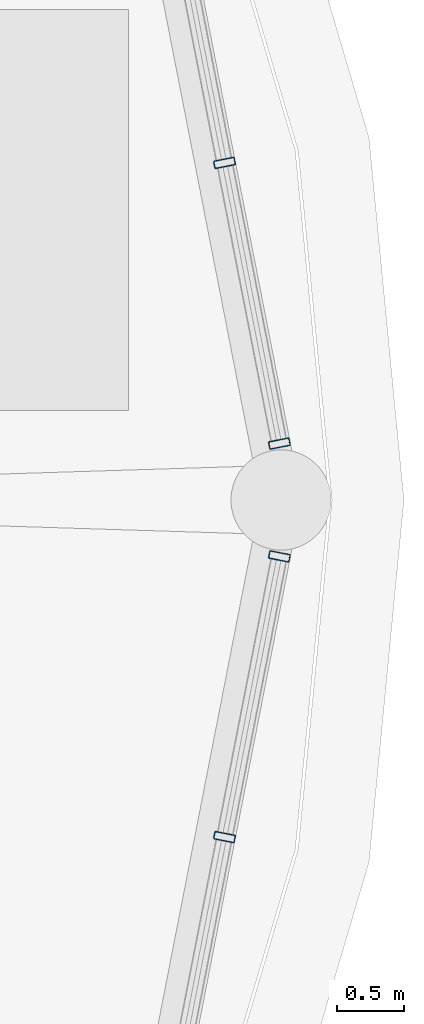
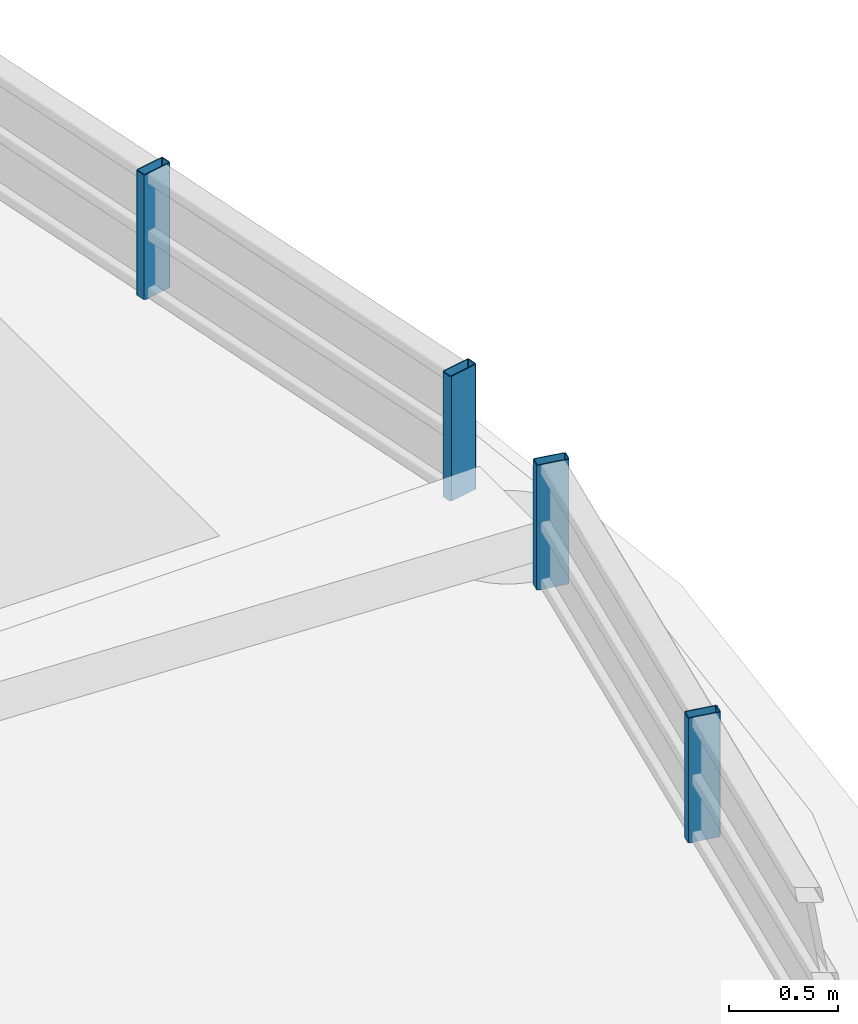
# One storey, part 17 of 21: 4 members, 2 elements without a shape of their own.
"""IFC4 building model written with IfcOpenShell, lengths in metres."""

from ifc_helpers import new_model, si_unit, direction, frame, origin, origin_2d, place, context, subcontext, project, spatial, hollow_rectangle, extrude, material, layer, layer_set, material_profile, profile_set, type_object, element, aggregate, save


model = new_model("IFC4")

# Units and contexts
model_context = context("Model", 3, precision=1e-05, world=origin(), true_north=direction((0.0, 1.0)))
body_context = subcontext(model_context, "Body", "Model", "MODEL_VIEW")
ifc_project = project(units=[si_unit("LENGTHUNIT", "METRE"), si_unit("AREAUNIT", "SQUARE_METRE"), si_unit("VOLUMEUNIT", "CUBIC_METRE"), si_unit("PLANEANGLEUNIT", "RADIAN"), si_unit("MASSUNIT", "GRAM", prefix="KILO")], contexts=[model_context])

# Site, building, storey
site_placement = place(None, origin())
site = spatial("IfcSite", under=ifc_project, at=site_placement, CompositionType="ELEMENT")
building_placement = place(site_placement, origin())
building = spatial("IfcBuilding", under=site, at=building_placement, Name="Kelanora Arch Commons", CompositionType="ELEMENT")
storey_placement = place(building_placement, frame((0.0, 0.0, 311.10009765625)))
storey = spatial("IfcBuildingStorey", under=building, at=storey_placement, Name="RF", CompositionType="ELEMENT", Elevation=311.10009765625)

# Curtain wall, members
ifc_material_1 = material(Name="Terracotta ceramic-fritted low-E glass and aluminium", Category="masonry")
ifc_layer = layer(ifc_material_1, 0.14990234375)
ifc_layer_set = layer_set([ifc_layer], Name="Terracotta ceramic-fritted low-E glass and aluminium")
curtain_wall_type = type_object("IfcCurtainWallType", Name="CW-SYS-06", PredefinedType="NOTDEFINED", material=ifc_layer_set)
curtain_wall_1_placement = place(storey_placement, origin())
curtain_wall_1 = element("IfcCurtainWall", 1, at=curtain_wall_1_placement, inside=storey, type_object=curtain_wall_type, Name="Sloped Glass Crown Lantern T1-01", PredefinedType="NOTDEFINED")
ifc_material_2 = material(Name="Powder-coated aluminium terracotta", Category="masonry")
ifc_material_profile = material_profile(ifc_material_2, hollow_rectangle(XDim=0.159912109375, YDim=0.06005859375, WallThickness=0.0048828125, InnerFilletRadius=0.0048828125, OuterFilletRadius=0.010009765625, at=origin_2d()), Name="CWM160x60")
ifc_profile_set = profile_set([ifc_material_profile], Name="Powder-coated aluminium terracotta")
member_type = type_object("IfcMemberType", Name="CWM-STD", PredefinedType="MULLION", material=ifc_profile_set)
member_1_placement = place(storey_placement, frame((90.267578125, 58.422119140625, 0.58984375), z_axis=(0.0, 0.0, 1.0), x_axis=(-0.98142737239, -0.191834076021, 0.0)))
member_1 = element("IfcMember", 2, at=member_1_placement, type_object=member_type, Name="CW-06 mullion 1", PredefinedType="MULLION", context=body_context, shape_type="SweptSolid", body=[
    extrude(hollow_rectangle(XDim=0.159912109375, YDim=0.06005859375, WallThickness=0.0048828125, InnerFilletRadius=0.0048828125, OuterFilletRadius=0.010009765625, at=origin_2d()), origin(), (0.0, 0.0, 1.0), 0.699951171875),
])
member_2_placement = place(storey_placement, frame((89.85693359375, 60.5224609375, 0.58984375), z_axis=(0.0, 0.0, 1.0), x_axis=(-0.98142737239, -0.191834076021, 0.0)))
member_2 = element("IfcMember", 3, at=member_2_placement, type_object=member_type, Name="CW-06 mullion 2", PredefinedType="MULLION", context=body_context, shape_type="SweptSolid", body=[
    extrude(hollow_rectangle(XDim=0.159912109375, YDim=0.06005859375, WallThickness=0.0048828125, InnerFilletRadius=0.0048828125, OuterFilletRadius=0.010009765625, at=origin_2d()), origin(), (0.0, 0.0, 1.0), 0.699951171875),
])
aggregate(curtain_wall_1, [member_1, member_2])

curtain_wall_2_placement = place(storey_placement, origin())
curtain_wall_2 = element("IfcCurtainWall", 4, at=curtain_wall_2_placement, inside=storey, type_object=curtain_wall_type, Name="Sloped Glass Crown Lantern T1-18", PredefinedType="NOTDEFINED")
member_3_placement = place(storey_placement, frame((89.85693359375, 55.4775390625, 0.58984375), z_axis=(0.0, 0.0, 1.0), x_axis=(-0.98142737239, 0.191834076021, 0.0)))
member_3 = element("IfcMember", 5, at=member_3_placement, type_object=member_type, Name="CW-06 mullion 2", PredefinedType="MULLION", context=body_context, shape_type="SweptSolid", body=[
    extrude(hollow_rectangle(XDim=0.159912109375, YDim=0.06005859375, WallThickness=0.0048828125, InnerFilletRadius=0.0048828125, OuterFilletRadius=0.010009765625, at=origin_2d()), origin(), (0.0, 0.0, 1.0), 0.699951171875),
])
member_4_placement = place(storey_placement, frame((90.267578125, 57.577880859375, 0.58984375), z_axis=(0.0, 0.0, 1.0), x_axis=(-0.98142737239, 0.191834076021, 0.0)))
member_4 = element("IfcMember", 6, at=member_4_placement, type_object=member_type, Name="CW-06 mullion 3", PredefinedType="MULLION", context=body_context, shape_type="SweptSolid", body=[
    extrude(hollow_rectangle(XDim=0.159912109375, YDim=0.06005859375, WallThickness=0.0048828125, InnerFilletRadius=0.0048828125, OuterFilletRadius=0.010009765625, at=origin_2d()), origin(), (0.0, 0.0, 1.0), 0.699951171875),
])
aggregate(curtain_wall_2, [member_3, member_4])

save(model, "model.ifc")
